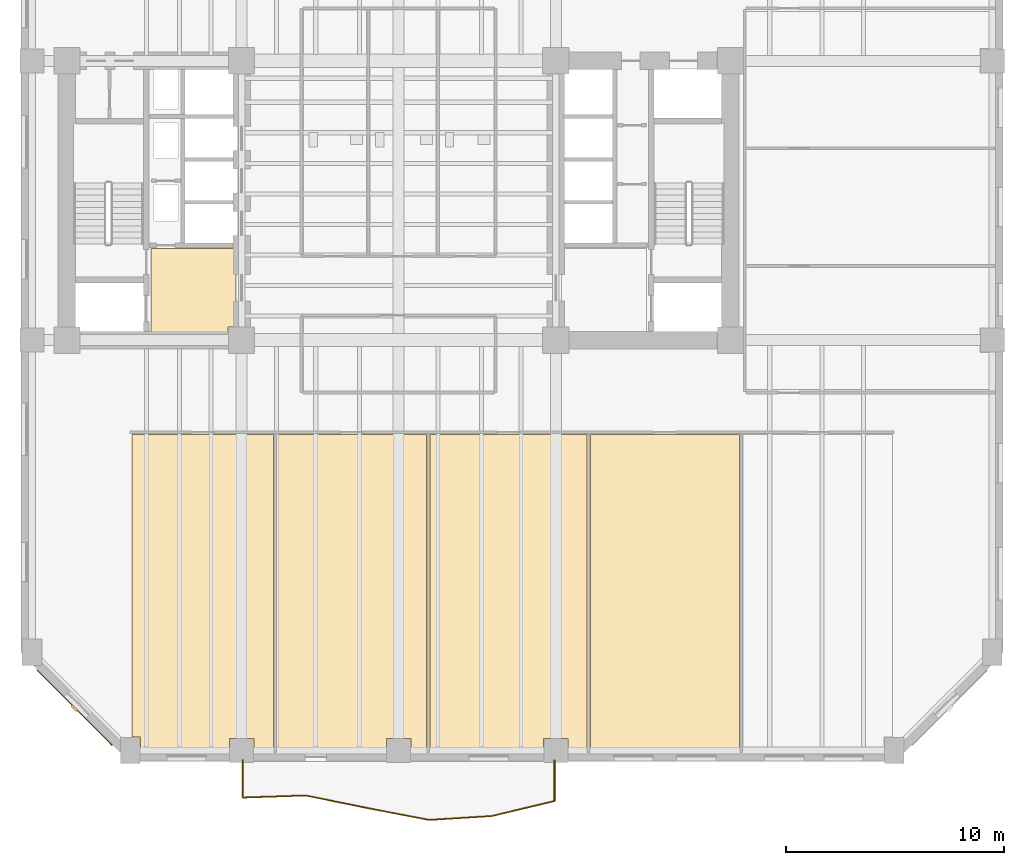
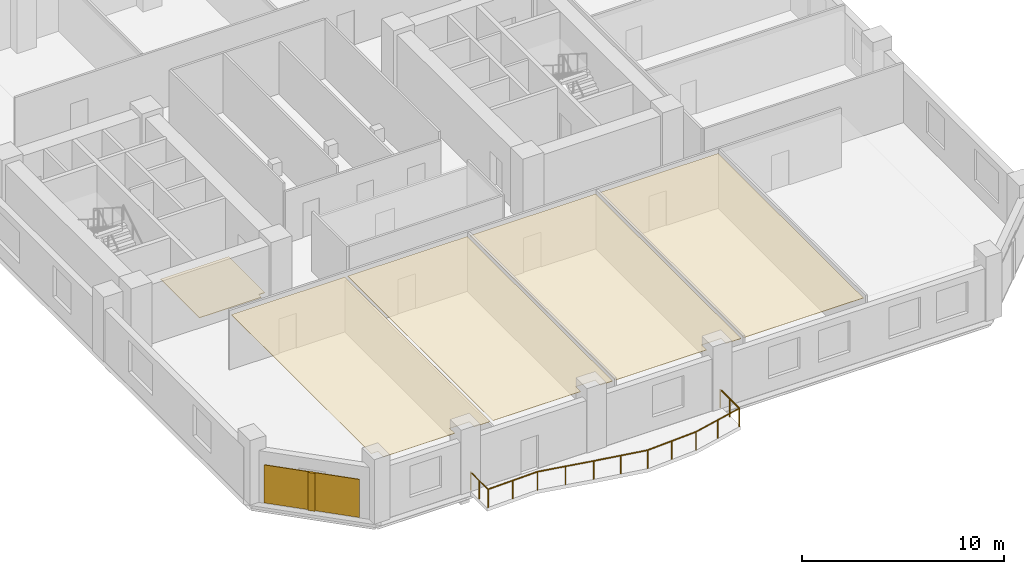
# One storey, part 6 of 9: 6 coverings, 1 railing, 1 shading device.
"""IFC4 building model written with IfcOpenShell, lengths in metres."""

from ifc_helpers import new_model, si_unit, direction, frame, origin, origin_2d, place, context, subcontext, project, spatial, polyline, rectangle, circle, outline, extrude, material, layer, layer_set, type_object, element, save


model = new_model("IFC4")

# Units and contexts
model_context = context("Model", 3, precision=1e-05, world=origin(), true_north=direction((0.0, 1.0)))
body_context = subcontext(model_context, "Body", "Model", "MODEL_VIEW")
ifc_project = project(units=[si_unit("LENGTHUNIT", "METRE"), si_unit("AREAUNIT", "SQUARE_METRE"), si_unit("VOLUMEUNIT", "CUBIC_METRE"), si_unit("PLANEANGLEUNIT", "RADIAN"), si_unit("MASSUNIT", "GRAM", prefix="KILO")], contexts=[model_context])

# Site, building, storey
site_placement = place(None, origin())
site = spatial("IfcSite", under=ifc_project, at=site_placement, CompositionType="ELEMENT")
building_placement = place(site_placement, origin())
building = spatial("IfcBuilding", under=site, at=building_placement, Name="Kranthara Brick Stack", CompositionType="ELEMENT")
storey_placement = place(building_placement, frame((0.0, 0.0, 63.300048828125)))
storey = spatial("IfcBuildingStorey", under=building, at=storey_placement, Name="L15", CompositionType="ELEMENT", Elevation=63.300048828125)

# Coverings
ifc_material_1 = material(Name="Perforated mineral-fibre acoustic ceiling tile", Category="other")
ifc_layer_1 = layer(ifc_material_1, 0.02490234375)
ifc_layer_set_1 = layer_set([ifc_layer_1], Name="Perforated mineral-fibre acoustic ceiling tile")
covering_type_1 = type_object("IfcCoveringType", Name="COV-CEIL-ACOUSTIC", PredefinedType="CEILING", material=ifc_layer_set_1)
covering_1_placement = place(storey_placement, frame((0.0, 0.0, 3.329833984375)))
element("IfcCovering", 1, at=covering_1_placement, inside=storey, type_object=covering_type_1, Name="L15 L15 Executive Cellular Office 1 Acoustic Ceiling", PredefinedType="CEILING", context=body_context, shape_type="SweptSolid", body=[
    extrude(outline(polyline([(22.27001953125, 16.47998046875), (22.27001953125, 2.070068359375), (21.360107421875, 2.070068359375), (21.360107421875, 2.56005859375), (20.239990234375, 2.56005859375), (20.239990234375, 2.070068359375), (16.159912109375, 2.070068359375), (16.159912109375, 2.610107421875), (15.780029296875, 2.610107421875), (15.780029296875, 16.47998046875), (22.27001953125, 16.47998046875)])), origin(), (0.0, 0.0, 1.0), 0.025146484375),
])
covering_2_placement = place(storey_placement, frame((0.0, 0.0, 3.329833984375)))
element("IfcCovering", 2, at=covering_2_placement, inside=storey, type_object=covering_type_1, Name="L15 L15 Executive Cellular Office 2 Acoustic Ceiling", PredefinedType="CEILING", context=body_context, shape_type="SweptSolid", body=[
    extrude(outline(polyline([(22.429931640625, 2.070068359375), (22.429931640625, 16.47998046875), (29.27001953125, 16.47998046875), (29.27001953125, 2.070068359375), (28.56005859375, 2.070068359375), (28.56005859375, 2.56005859375), (27.43994140625, 2.56005859375), (27.43994140625, 2.070068359375), (22.429931640625, 2.070068359375)])), origin(), (0.0, 0.0, 1.0), 0.025146484375),
])
covering_3_placement = place(storey_placement, frame((0.0, 0.0, 3.329833984375)))
element("IfcCovering", 3, at=covering_3_placement, inside=storey, type_object=covering_type_1, Name="L15 L15 Executive Cellular Office 3 Acoustic Ceiling", PredefinedType="CEILING", context=body_context, shape_type="SweptSolid", body=[
    extrude(outline(polyline([(29.429931640625, 2.070068359375), (29.429931640625, 16.47998046875), (36.6201171875, 16.47998046875), (36.6201171875, 2.070068359375), (35.760009765625, 2.070068359375), (35.760009765625, 2.56005859375), (34.639892578125, 2.56005859375), (34.639892578125, 2.070068359375), (29.429931640625, 2.070068359375)])), origin(), (0.0, 0.0, 1.0), 0.025146484375),
])
covering_4_placement = place(storey_placement, frame((0.0, 0.0, 3.329833984375)))
element("IfcCovering", 4, at=covering_4_placement, inside=storey, type_object=covering_type_1, Name="L15 L15 Executive Cellular Office 4 Acoustic Ceiling", PredefinedType="CEILING", context=body_context, shape_type="SweptSolid", body=[
    extrude(outline(polyline([(43.6201171875, 2.070068359375), (43.6201171875, 16.47998046875), (36.780029296875, 16.47998046875), (36.780029296875, 2.070068359375), (43.6201171875, 2.070068359375)])), origin(), (0.0, 0.0, 1.0), 0.025146484375),
])
ifc_material_2 = material(Name="Warm buff kiln-fired brick slip rainscreen", Category="masonry")
ifc_layer_2 = layer(ifc_material_2, 0.044921875)
ifc_layer_set_2 = layer_set([ifc_layer_2], Name="Warm buff kiln-fired brick slip rainscreen")
covering_type_2 = type_object("IfcCoveringType", Name="COV-CLAD-BRICK", PredefinedType="CLADDING", material=ifc_layer_set_2)
covering_5_placement = place(storey_placement, frame((13.156494140625, 3.95654296875, 0.0498046875), z_axis=(0.0, 0.0, 1.0), x_axis=(-0.707106781187, 0.707106781187, 0.0)))
element("IfcCovering", 5, at=covering_5_placement, inside=storey, type_object=covering_type_2, Name="L15 Chamfer Brick Rainscreen Cladding SW", PredefinedType="CLADDING", context=body_context, shape_type="SweptSolid", body=[
    extrude(rectangle(XDim=4.876953125, YDim=0.044921875, at=origin_2d()), origin(), (0.0, 0.0, 1.0), 2.300048828125),
])
ifc_material_3 = material(Name="Honed terrazzo and porcelain floor finish", Category="stone")
ifc_layer_3 = layer(ifc_material_3, 0.030029296875)
ifc_layer_set_3 = layer_set([ifc_layer_3], Name="Honed terrazzo and porcelain floor finish")
covering_type_3 = type_object("IfcCoveringType", Name="COV-FLOR-STONE", PredefinedType="FLOORING", material=ifc_layer_set_3)
covering_6_placement = place(storey_placement, origin())
element("IfcCovering", 6, at=covering_6_placement, inside=storey, type_object=covering_type_3, Name="L15 Lift Lobby Stone Flooring", PredefinedType="FLOORING", context=body_context, shape_type="SweptSolid", body=[
    extrude(outline(polyline([(16.64990234375, 21.14990234375), (16.64990234375, 25.0), (20.550048828125, 25.0), (20.550048828125, 21.409912109375), (20.18994140625, 21.409912109375), (20.18994140625, 21.14990234375), (16.64990234375, 21.14990234375)])), origin(), (0.0, 0.0, 1.0), 0.030029296875),
])

# Railing
ifc_material_4 = material(Name="Bronze anodised aluminium and laminated glass balustrade", Category="aluminium")
railing_type = type_object("IfcRailingType", Name="RL-BALC-1120", PredefinedType="BALUSTRADE", material=ifc_material_4)
railing_placement = place(storey_placement, frame((35.139892578125, 1.56005859375, 0.0)))
element("IfcRailing", 7, at=railing_placement, inside=storey, type_object=railing_type, Name="L15 South Rippling Balcony Balustrade", PredefinedType="BALUSTRADE", context=body_context, shape_type="SweptSolid", body=[
    extrude(circle(Radius=0.02392578125, at=origin_2d()), frame((0.0, 0.0, 1.09619140625), z_axis=(0.0, -1.0, 0.0), x_axis=(1.0, 0.0, 0.0)), (0.0, 0.0, 1.0), 1.87939453125),
    extrude(circle(Radius=0.02392578125, at=origin_2d()), frame((0.0, -1.87939453125, 1.09619140625), z_axis=(-0.972659966669, -0.232233910617, 0.0), x_axis=(0.232233910617, -0.972659966669, 0.0)), (0.0, 0.0, 1.0), 2.959228515625),
    extrude(circle(Radius=0.02392578125, at=origin_2d()), frame((-2.87841796875, -2.566650390625, 1.09619140625), z_axis=(-0.998095970704, -0.061680088077, 0.0), x_axis=(0.061680088077, -0.998095970704, 0.0)), (0.0, 0.0, 1.0), 2.87353515625),
    extrude(circle(Radius=0.02392578125, at=origin_2d()), frame((-5.74658203125, -2.743896484375, 1.09619140625), z_axis=(-0.982010755583, 0.18882498754, 0.0), x_axis=(-0.18882498754, -0.982010755583, 0.0)), (0.0, 0.0, 1.0), 2.828857421875),
    extrude(circle(Radius=0.02392578125, at=origin_2d()), frame((-8.524658203125, -2.209716796875, 1.09619140625), z_axis=(-0.979893120371, 0.199523113072, 0.0), x_axis=(-0.199523113072, -0.979893120371, 0.0)), (0.0, 0.0, 1.0), 2.934326171875),
    extrude(circle(Radius=0.02392578125, at=origin_2d()), frame((-11.39990234375, -1.624267578125, 1.09619140625), z_axis=(-0.999451096123, -0.033128635011, 0.0), x_axis=(0.033128635011, -0.999451096123, 0.0)), (0.0, 0.0, 1.0), 2.88134765625),
    extrude(circle(Radius=0.02392578125, at=origin_2d()), frame((-14.27978515625, -1.7197265625, 1.09619140625), z_axis=(0.0, 1.0, 0.0), x_axis=(-1.0, 0.0, 0.0)), (0.0, 0.0, 1.0), 1.7197265625),
    extrude(circle(Radius=0.02099609375, at=origin_2d()), origin(), (0.0, 0.0, 1.0), 1.072021484375),
    extrude(circle(Radius=0.02099609375, at=origin_2d()), frame((0.0, -0.939697265625, 0.0)), (0.0, 0.0, 1.0), 1.072021484375),
    extrude(circle(Radius=0.02099609375, at=origin_2d()), frame((0.0, -1.87939453125, 0.0)), (0.0, 0.0, 1.0), 1.072021484375),
    extrude(circle(Radius=0.02099609375, at=origin_2d()), frame((-1.439208984375, -2.22314453125, 0.0)), (0.0, 0.0, 1.0), 1.072021484375),
    extrude(circle(Radius=0.02099609375, at=origin_2d()), frame((-2.87841796875, -2.566650390625, 0.0)), (0.0, 0.0, 1.0), 1.072021484375),
    extrude(circle(Radius=0.02099609375, at=origin_2d()), frame((-4.3125, -2.6552734375, 0.0)), (0.0, 0.0, 1.0), 1.072021484375),
    extrude(circle(Radius=0.02099609375, at=origin_2d()), frame((-5.74658203125, -2.743896484375, 0.0)), (0.0, 0.0, 1.0), 1.072021484375),
    extrude(circle(Radius=0.02099609375, at=origin_2d()), frame((-7.1357421875, -2.476806640625, 0.0)), (0.0, 0.0, 1.0), 1.072021484375),
    extrude(circle(Radius=0.02099609375, at=origin_2d()), frame((-8.524658203125, -2.209716796875, 0.0)), (0.0, 0.0, 1.0), 1.072021484375),
    extrude(circle(Radius=0.02099609375, at=origin_2d()), frame((-9.96240234375, -1.9169921875, 0.0)), (0.0, 0.0, 1.0), 1.072021484375),
    extrude(circle(Radius=0.02099609375, at=origin_2d()), frame((-11.39990234375, -1.624267578125, 0.0)), (0.0, 0.0, 1.0), 1.072021484375),
    extrude(circle(Radius=0.02099609375, at=origin_2d()), frame((-12.83984375, -1.671875, 0.0)), (0.0, 0.0, 1.0), 1.072021484375),
    extrude(circle(Radius=0.02099609375, at=origin_2d()), frame((-14.27978515625, -1.7197265625, 0.0)), (0.0, 0.0, 1.0), 1.072021484375),
    extrude(circle(Radius=0.02099609375, at=origin_2d()), frame((-14.27978515625, -0.85986328125, 0.0)), (0.0, 0.0, 1.0), 1.072021484375),
    extrude(circle(Radius=0.02099609375, at=origin_2d()), frame((-14.27978515625, 0.0, 0.0)), (0.0, 0.0, 1.0), 1.072021484375),
])

# Shading device
ifc_material_5 = material(Name="Kiln-fired terracotta aerodynamic wind fin", Category="masonry")
shading_device_type = type_object("IfcShadingDeviceType", Name="SHD-BAFFLE-CORNER", PredefinedType="SHUTTER", material=ifc_material_5)
shading_device_placement = place(storey_placement, frame((13.13525390625, 3.935302734375, 0.0498046875), z_axis=(0.0, 0.0, 1.0), x_axis=(-0.707106781187, 0.707106781187, 0.0)))
element("IfcShadingDevice", 8, at=shading_device_placement, inside=storey, type_object=shading_device_type, Name="L15 Chamfer Wind-Baffle Fin SW", PredefinedType="SHUTTER", context=body_context, shape_type="SweptSolid", body=[
    extrude(rectangle(XDim=0.35009765625, YDim=0.1201171875, at=origin_2d()), origin(), (0.0, 0.0, 1.0), 2.300048828125),
])

save(model, "model.ifc")
